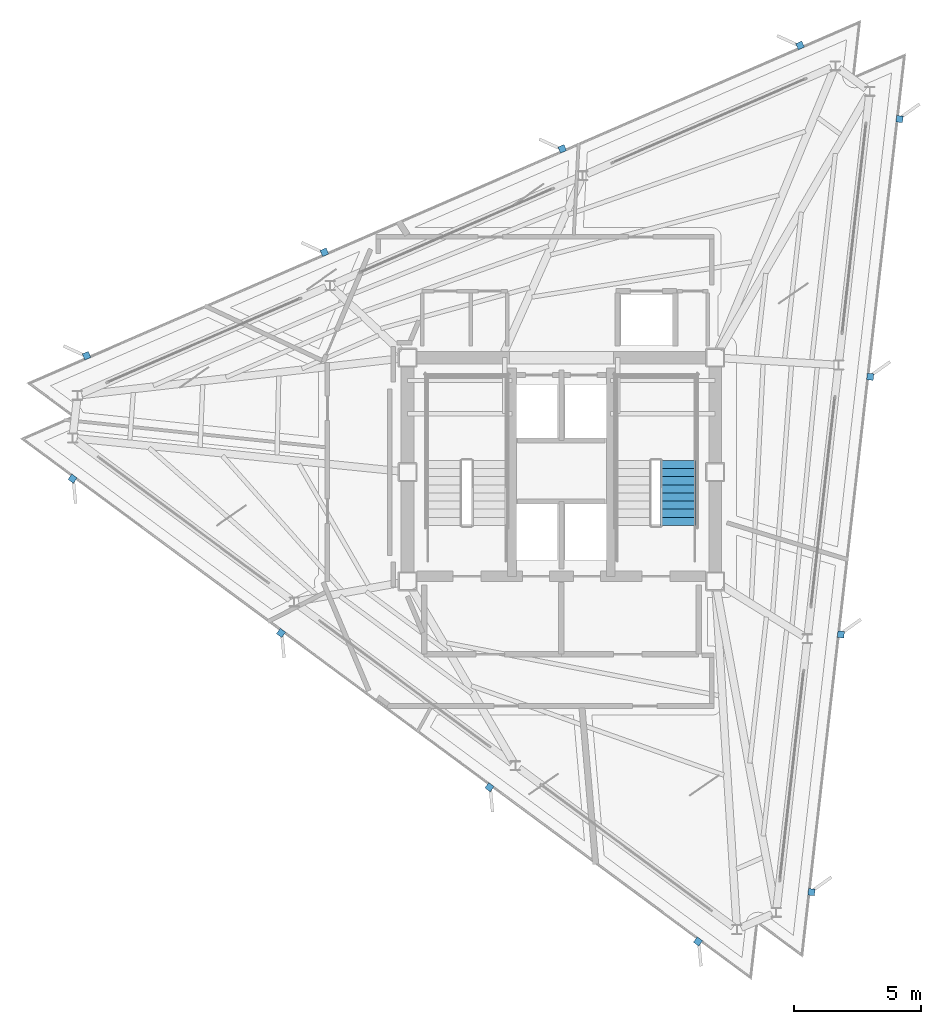
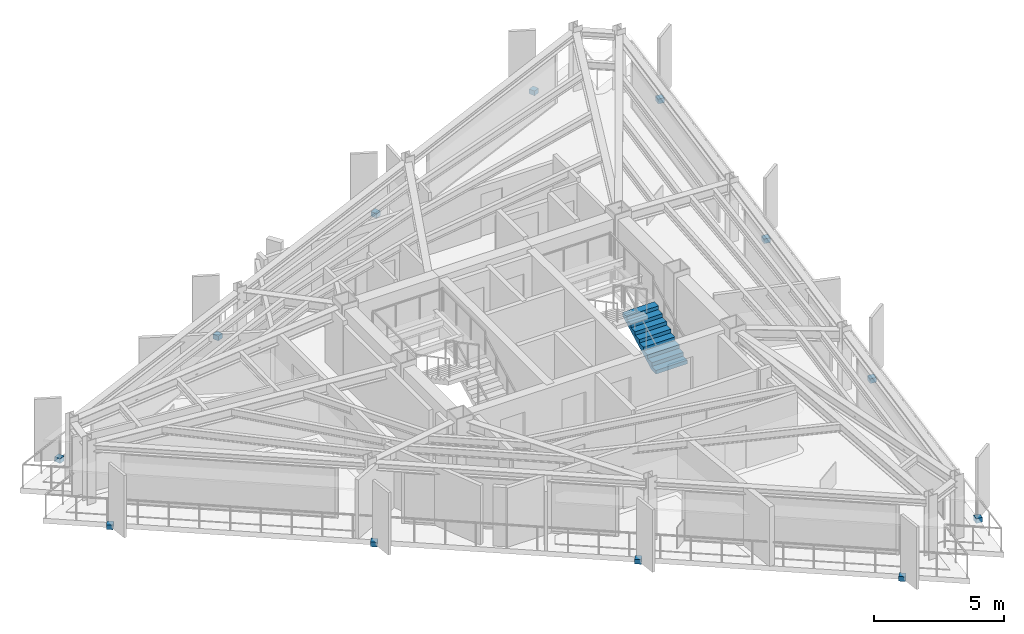
# One storey, part 7 of 10: 12 discrete accessories, 1 stair flight, 1 element without a shape of its own.
"""IFC4 building model written with IfcOpenShell, lengths in metres."""

from ifc_helpers import new_model, si_unit, direction, frame, origin, origin_2d, place, context, subcontext, project, spatial, polyline, rectangle, outline, extrude, material, layer, layer_set, type_object, element, aggregate, save


model = new_model("IFC4")

# Units and contexts
model_context = context("Model", 3, precision=1e-05, world=origin(), true_north=direction((0.0, 1.0)))
body_context = subcontext(model_context, "Body", "Model", "MODEL_VIEW")
ifc_project = project(units=[si_unit("LENGTHUNIT", "METRE"), si_unit("AREAUNIT", "SQUARE_METRE"), si_unit("VOLUMEUNIT", "CUBIC_METRE"), si_unit("PLANEANGLEUNIT", "RADIAN"), si_unit("MASSUNIT", "GRAM", prefix="KILO")], contexts=[model_context])

# Site, building, storey
site_placement = place(None, origin())
site = spatial("IfcSite", under=ifc_project, at=site_placement, CompositionType="ELEMENT")
building_placement = place(site_placement, origin())
building = spatial("IfcBuilding", under=site, at=building_placement, Name="Rocaltana Carrier Exchange", CompositionType="ELEMENT")
storey_placement = place(building_placement, frame((0.0, 0.0, 224.0)))
storey = spatial("IfcBuildingStorey", under=building, at=storey_placement, Name="L71", CompositionType="ELEMENT", Elevation=224.0)

# Stair, stair flight
ifc_material_1 = material(Name="Precast concrete C45/55", Category="concrete")
stair_type = type_object("IfcStairType", Name="Standard Dog-Leg Stair 160", PredefinedType="HALF_TURN_STAIR", material=ifc_material_1)
stair_placement = place(storey_placement, origin())
stair = element("IfcStair", 1, at=stair_placement, inside=storey, type_object=stair_type, Name="L71 Core East Exit Stair ST-2", PredefinedType="HALF_TURN_STAIR")
ifc_material_2 = material(Name="Precast concrete C45/55", Category="concrete")
stair_flight_type = type_object("IfcStairFlightType", Name="Precast Stair Flight 160", PredefinedType="STRAIGHT", material=ifc_material_2)
stair_flight_placement = place(storey_placement, frame((4.60009765625, -2.10009765625, 0.0), z_axis=(0.0, 0.0, 1.0), x_axis=(0.0, 1.0, 0.0)))
stair_flight = element("IfcStairFlight", 2, at=stair_flight_placement, type_object=stair_flight_type, Name="ST-2 flight 1", NumberOfRisers=9, NumberOfTreads=8, PredefinedType="STRAIGHT", RiserHeight=0.168888889, TreadLength=0.32, context=body_context, shape_type="SweptSolid", body=[
    extrude(outline(polyline([(0.0, 0.0), (0.0, 0.1689453125), (0.320068359375, 0.1689453125), (0.320068359375, 0.337890625), (0.639892578125, 0.337890625), (0.639892578125, 0.506591796875), (0.9599609375, 0.506591796875), (0.9599609375, 0.675537109375), (1.280029296875, 0.675537109375), (1.280029296875, 0.844482421875), (1.60009765625, 0.844482421875), (1.60009765625, 1.013427734375), (1.919921875, 1.013427734375), (1.919921875, 1.18212890625), (2.239990234375, 1.18212890625), (2.239990234375, 1.35107421875), (2.56005859375, 1.35107421875), (2.56005859375, 1.52001953125), (2.56005859375, 1.17041015625), (0.342529296875, 0.0), (0.0, 0.0)])), frame((0.0, 0.699951171875, 0.0), z_axis=(0.0, -1.0, 0.0), x_axis=(1.0, 0.0, 0.0)), (0.0, 0.0, 1.0), 1.39990234375),
])
aggregate(stair, [stair_flight])

# Discrete accessories
ifc_material_3 = material(Name="Brushed Architectural Stainless Metal", Category="steel")
ifc_layer = layer(ifc_material_3, 0.219970703125)
ifc_layer_set = layer_set([ifc_layer], Name="Brushed Architectural Stainless Metal")
discrete_accessory_type = type_object("IfcDiscreteAccessoryType", Name="Stainless Fin Slab-Edge Bracket 260x260x220", PredefinedType="BRACKET", material=ifc_layer_set)
for number, where, z_axis, x_axis, name in (
    (3, (9.837890625, -16.52001953125, -0.2099609375), (0.0, 0.0, 1.0), (0.113203213768, 0.993571855677, 0.0), "L71 Sandstone Fin Edge Bracket F1-01"),
    (4, (10.992431640625, -6.385498046875, -0.2099609375), (0.0, 0.0, 1.0), (0.113203213768, 0.993571855677, 0.0), "L71 Sandstone Fin Edge Bracket F1-02"),
    (5, (12.147216796875, 3.7490234375, -0.2099609375), (0.0, 0.0, 1.0), (0.113203213768, 0.993571855677, 0.0), "L71 Sandstone Fin Edge Bracket F1-03"),
    (6, (13.302001953125, 13.88330078125, -0.2099609375), (0.0, 0.0, 1.0), (0.113203213768, 0.993571855677, 0.0), "L71 Sandstone Fin Edge Bracket F1-04"),
    (7, (9.3876953125, 16.77978515625, -0.2099609375), (0.0, 0.0, 1.0), (-0.917060074385, -0.398749068925, 0.0), "L71 Sandstone Fin Edge Bracket F2-01"),
    (8, (0.03369140625, 12.71240234375, -0.2099609375), (0.0, 0.0, 1.0), (-0.917060074385, -0.398749068925, 0.0), "L71 Sandstone Fin Edge Bracket F2-02"),
    (9, (-9.3203125, 8.645263671875, -0.2099609375), (0.0, 0.0, 1.0), (-0.917060074385, -0.398749068925, 0.0), "L71 Sandstone Fin Edge Bracket F2-03"),
    (10, (-18.67431640625, 4.578125, -0.2099609375), (0.0, 0.0, 1.0), (-0.917060074385, -0.398749068925, 0.0), "L71 Sandstone Fin Edge Bracket F2-04"),
    (11, (-19.2255859375, -0.260009765625, -0.2099609375), (0.0, 0.0, 1.0), (0.803856860617, -0.594822786751, 0.0), "L71 Sandstone Fin Edge Bracket F3-01"),
    (12, (-11.026123046875, -6.3271484375, -0.2099609375), (0.0, 0.0, 1.0), (0.803856860617, -0.594822786751, 0.0), "L71 Sandstone Fin Edge Bracket F3-02"),
    (13, (-2.826904296875, -12.394287109375, -0.2099609375), (0.0, 0.0, 1.0), (0.803856860617, -0.594822786751, 0.0), "L71 Sandstone Fin Edge Bracket F3-03"),
    (14, (5.37255859375, -18.46142578125, -0.2099609375), (0.0, 0.0, 1.0), (0.803856860617, -0.594822786751, 0.0), "L71 Sandstone Fin Edge Bracket F3-04"),
):
    element("IfcDiscreteAccessory", number, at=place(storey_placement, frame(where, z_axis=z_axis, x_axis=x_axis)), inside=storey, type_object=discrete_accessory_type, Name=name, PredefinedType="BRACKET", context=body_context, shape_type="SweptSolid", body=[
        extrude(rectangle(XDim=0.260009765625, YDim=0.260009765625, at=origin_2d()), origin(), (0.0, 0.0, 1.0), 0.219970703125),
    ])

save(model, "model.ifc")
